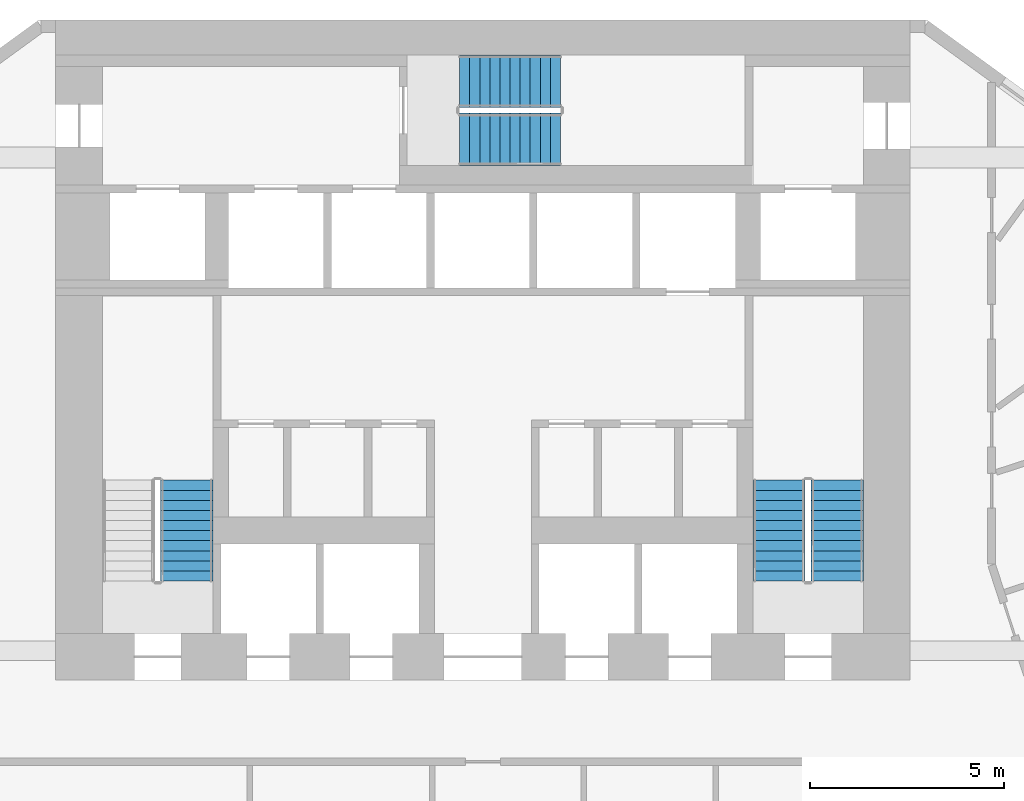
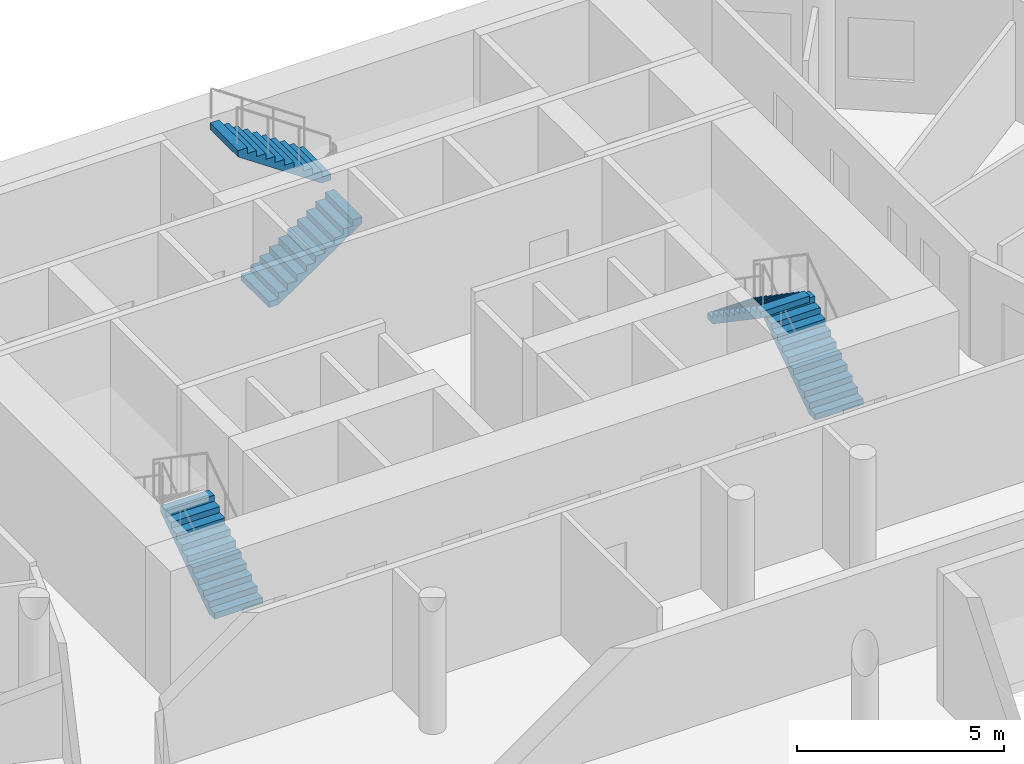
# One storey, part 7 of 9: 5 stair flights, 3 elements without a shape of their own.
"""IFC4 building model written with IfcOpenShell, lengths in metres."""

from ifc_helpers import new_model, si_unit, direction, frame, origin, place, context, subcontext, project, spatial, polyline, outline, extrude, material, layer, layer_set, type_object, element, aggregate, save


model = new_model("IFC4")

# Units and contexts
model_context = context("Model", 3, precision=1e-05, world=origin(), true_north=direction((0.0, 1.0)))
body_context = subcontext(model_context, "Body", "Model", "MODEL_VIEW")
ifc_project = project(units=[si_unit("LENGTHUNIT", "METRE"), si_unit("AREAUNIT", "SQUARE_METRE"), si_unit("VOLUMEUNIT", "CUBIC_METRE"), si_unit("PLANEANGLEUNIT", "RADIAN"), si_unit("MASSUNIT", "GRAM", prefix="KILO")], contexts=[model_context])

# Site, building, storey
site_placement = place(None, origin())
site = spatial("IfcSite", under=ifc_project, at=site_placement, CompositionType="ELEMENT")
building_placement = place(site_placement, origin())
building = spatial("IfcBuilding", under=site, at=building_placement, Name="White Candle Pilgrim Tower", CompositionType="ELEMENT")
storey_placement = place(building_placement, frame((0.0, 0.0, 62.39990234375)))
storey = spatial("IfcBuildingStorey", under=building, at=storey_placement, Name="L12", CompositionType="ELEMENT", Elevation=62.39990234375)

# Stair, stair flight
ifc_material = material(Name="Concrete C40/50", Category="concrete")
stair_type_1 = type_object("IfcStairType", Name="Exit stair 1 flight width 1350 mm", PredefinedType="HALF_TURN_STAIR", material=ifc_material)
stair_1_placement = place(storey_placement, origin())
stair_1 = element("IfcStair", 1, at=stair_1_placement, inside=storey, type_object=stair_type_1, Name="L12 stair 1", PredefinedType="NOTDEFINED")
ifc_layer = layer(ifc_material, 0.14990234375)
ifc_layer_set = layer_set([ifc_layer], Name="Stair flight Concrete C40/50")
stair_flight_type = type_object("IfcStairFlightType", Name="Stair flight Concrete C40/50", PredefinedType="STRAIGHT", material=ifc_layer_set)
stair_flight_1_placement = place(storey_placement, frame((62.375, 73.550048828125, 0.0), z_axis=(0.0, 0.0, 1.0), x_axis=(0.0, 1.0, 0.0)))
stair_flight_1 = element("IfcStairFlight", 2, at=stair_flight_1_placement, type_object=stair_flight_type, Name="ST1 flight 1", NumberOfRisers=11, NumberOfTreads=10, PredefinedType="NOTDEFINED", RiserHeight=0.177272727, TreadLength=0.26, context=body_context, shape_type="SweptSolid", body=[
    extrude(outline(polyline([(0.0, 0.0), (0.0, 0.17724609375), (0.260009765625, 0.17724609375), (0.260009765625, 0.3544921875), (0.52001953125, 0.3544921875), (0.52001953125, 0.53173828125), (0.780029296875, 0.53173828125), (0.780029296875, 0.708984375), (1.0400390625, 0.708984375), (1.0400390625, 0.886474609375), (1.300048828125, 0.886474609375), (1.300048828125, 1.063720703125), (1.56005859375, 1.063720703125), (1.56005859375, 1.240966796875), (1.820068359375, 1.240966796875), (1.820068359375, 1.418212890625), (2.080078125, 1.418212890625), (2.080078125, 1.595458984375), (2.340087890625, 1.595458984375), (2.340087890625, 1.772705078125), (2.60009765625, 1.772705078125), (2.60009765625, 1.949951171875), (2.60009765625, 1.59130859375), (0.26611328125, 0.0), (0.0, 0.0)])), frame((0.0, 0.675048828125, 0.0), z_axis=(0.0, -1.0, 0.0), x_axis=(1.0, 0.0, 0.0)), (0.0, 0.0, 1.0), 1.35009765625),
])
aggregate(stair_1, [stair_flight_1])

# Stair, stair flights
stair_type_2 = type_object("IfcStairType", Name="Exit stair 2 flight width 1350 mm", PredefinedType="HALF_TURN_STAIR", material=ifc_material)
stair_2_placement = place(storey_placement, origin())
stair_2 = element("IfcStair", 3, at=stair_2_placement, inside=storey, type_object=stair_type_2, Name="L12 stair 2", PredefinedType="NOTDEFINED")
stair_flight_2_placement = place(storey_placement, frame((79.125, 73.550048828125, 0.0), z_axis=(0.0, 0.0, 1.0), x_axis=(0.0, 1.0, 0.0)))
stair_flight_2 = element("IfcStairFlight", 4, at=stair_flight_2_placement, type_object=stair_flight_type, Name="ST2 flight 1", NumberOfRisers=11, NumberOfTreads=10, PredefinedType="NOTDEFINED", RiserHeight=0.177272727, TreadLength=0.26, context=body_context, shape_type="SweptSolid", body=[
    extrude(outline(polyline([(0.0, 0.0), (0.0, 0.17724609375), (0.260009765625, 0.17724609375), (0.260009765625, 0.3544921875), (0.52001953125, 0.3544921875), (0.52001953125, 0.53173828125), (0.780029296875, 0.53173828125), (0.780029296875, 0.708984375), (1.0400390625, 0.708984375), (1.0400390625, 0.886474609375), (1.300048828125, 0.886474609375), (1.300048828125, 1.063720703125), (1.56005859375, 1.063720703125), (1.56005859375, 1.240966796875), (1.820068359375, 1.240966796875), (1.820068359375, 1.418212890625), (2.080078125, 1.418212890625), (2.080078125, 1.595458984375), (2.340087890625, 1.595458984375), (2.340087890625, 1.772705078125), (2.60009765625, 1.772705078125), (2.60009765625, 1.949951171875), (2.60009765625, 1.59130859375), (0.26611328125, 0.0), (0.0, 0.0)])), frame((0.0, 0.675048828125, 0.0), z_axis=(0.0, -1.0, 0.0), x_axis=(1.0, 0.0, 0.0)), (0.0, 0.0, 1.0), 1.35009765625),
])
stair_flight_3_placement = place(storey_placement, frame((77.625, 76.14990234375, 1.9501953125), z_axis=(0.0, 0.0, 1.0), x_axis=(0.0, -1.0, 0.0)))
stair_flight_3 = element("IfcStairFlight", 5, at=stair_flight_3_placement, type_object=stair_flight_type, Name="ST2 flight 2", NumberOfRisers=11, NumberOfTreads=10, PredefinedType="NOTDEFINED", RiserHeight=0.177272727, TreadLength=0.26, context=body_context, shape_type="SweptSolid", body=[
    extrude(outline(polyline([(0.0, 0.0), (0.0, 0.17724609375), (0.260009765625, 0.17724609375), (0.260009765625, 0.3544921875), (0.52001953125, 0.3544921875), (0.52001953125, 0.53173828125), (0.780029296875, 0.53173828125), (0.780029296875, 0.708984375), (1.0400390625, 0.708984375), (1.0400390625, 0.886474609375), (1.300048828125, 0.886474609375), (1.300048828125, 1.063720703125), (1.56005859375, 1.063720703125), (1.56005859375, 1.240966796875), (1.820068359375, 1.240966796875), (1.820068359375, 1.418212890625), (2.080078125, 1.418212890625), (2.080078125, 1.595458984375), (2.340087890625, 1.595458984375), (2.340087890625, 1.772705078125), (2.60009765625, 1.772705078125), (2.60009765625, 1.949951171875), (2.60009765625, 1.59130859375), (0.26611328125, 0.0), (0.0, 0.0)])), frame((0.0, 0.675048828125, 0.0), z_axis=(0.0, -1.0, 0.0), x_axis=(1.0, 0.0, 0.0)), (0.0, 0.0, 1.0), 1.35009765625),
])
aggregate(stair_2, [stair_flight_2, stair_flight_3])

stair_type_3 = type_object("IfcStairType", Name="Exit stair 3 flight width 1350 mm", PredefinedType="HALF_TURN_STAIR", material=ifc_material)
stair_3_placement = place(storey_placement, origin())
stair_3 = element("IfcStair", 6, at=stair_3_placement, inside=storey, type_object=stair_type_3, Name="L12 stair 3", PredefinedType="NOTDEFINED")
stair_flight_4_placement = place(storey_placement, frame((69.39990234375, 84.925048828125, 0.0), z_axis=(0.0, 0.0, 1.0), x_axis=(1.0, 0.0, 0.0)))
stair_flight_4 = element("IfcStairFlight", 7, at=stair_flight_4_placement, type_object=stair_flight_type, Name="ST3 flight 1", NumberOfRisers=11, NumberOfTreads=10, PredefinedType="NOTDEFINED", RiserHeight=0.177272727, TreadLength=0.26, context=body_context, shape_type="SweptSolid", body=[
    extrude(outline(polyline([(0.0, 0.0), (0.0, 0.17724609375), (0.260009765625, 0.17724609375), (0.260009765625, 0.3544921875), (0.52001953125, 0.3544921875), (0.52001953125, 0.53173828125), (0.780029296875, 0.53173828125), (0.780029296875, 0.708984375), (1.0400390625, 0.708984375), (1.0400390625, 0.886474609375), (1.300048828125, 0.886474609375), (1.300048828125, 1.063720703125), (1.56005859375, 1.063720703125), (1.56005859375, 1.240966796875), (1.820068359375, 1.240966796875), (1.820068359375, 1.418212890625), (2.080078125, 1.418212890625), (2.080078125, 1.595458984375), (2.340087890625, 1.595458984375), (2.340087890625, 1.772705078125), (2.60009765625, 1.772705078125), (2.60009765625, 1.949951171875), (2.60009765625, 1.59130859375), (0.26611328125, 0.0), (0.0, 0.0)])), frame((0.0, 0.675048828125, 0.0), z_axis=(0.0, -1.0, 0.0), x_axis=(1.0, 0.0, 0.0)), (0.0, 0.0, 1.0), 1.35009765625),
])
stair_flight_5_placement = place(storey_placement, frame((72.0, 86.425048828125, 1.9501953125), z_axis=(0.0, 0.0, 1.0), x_axis=(-1.0, 0.0, 0.0)))
stair_flight_5 = element("IfcStairFlight", 8, at=stair_flight_5_placement, type_object=stair_flight_type, Name="ST3 flight 2", NumberOfRisers=11, NumberOfTreads=10, PredefinedType="NOTDEFINED", RiserHeight=0.177272727, TreadLength=0.26, context=body_context, shape_type="SweptSolid", body=[
    extrude(outline(polyline([(0.0, 0.0), (0.0, 0.17724609375), (0.260009765625, 0.17724609375), (0.260009765625, 0.3544921875), (0.52001953125, 0.3544921875), (0.52001953125, 0.53173828125), (0.780029296875, 0.53173828125), (0.780029296875, 0.708984375), (1.0400390625, 0.708984375), (1.0400390625, 0.886474609375), (1.300048828125, 0.886474609375), (1.300048828125, 1.063720703125), (1.56005859375, 1.063720703125), (1.56005859375, 1.240966796875), (1.820068359375, 1.240966796875), (1.820068359375, 1.418212890625), (2.080078125, 1.418212890625), (2.080078125, 1.595458984375), (2.340087890625, 1.595458984375), (2.340087890625, 1.772705078125), (2.60009765625, 1.772705078125), (2.60009765625, 1.949951171875), (2.60009765625, 1.59130859375), (0.26611328125, 0.0), (0.0, 0.0)])), frame((0.0, 0.675048828125, 0.0), z_axis=(0.0, -1.0, 0.0), x_axis=(1.0, 0.0, 0.0)), (0.0, 0.0, 1.0), 1.35009765625),
])
aggregate(stair_3, [stair_flight_4, stair_flight_5])

save(model, "model.ifc")
